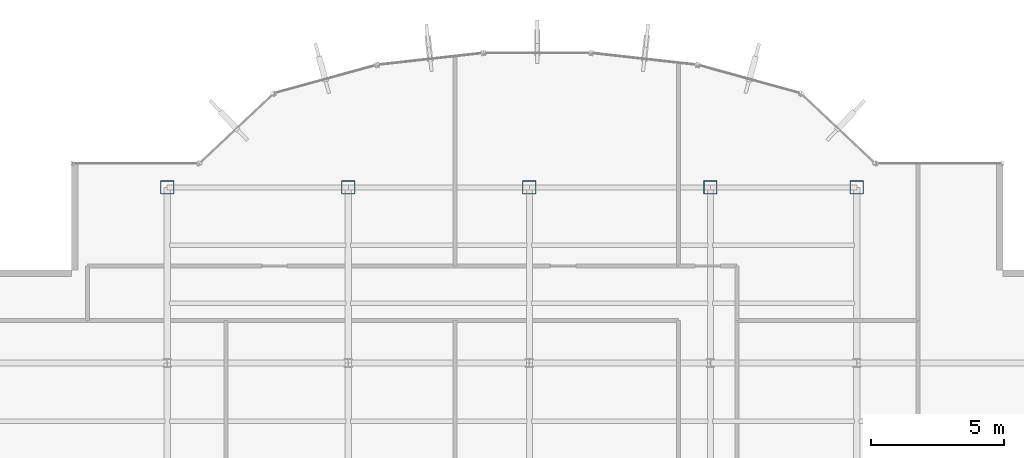
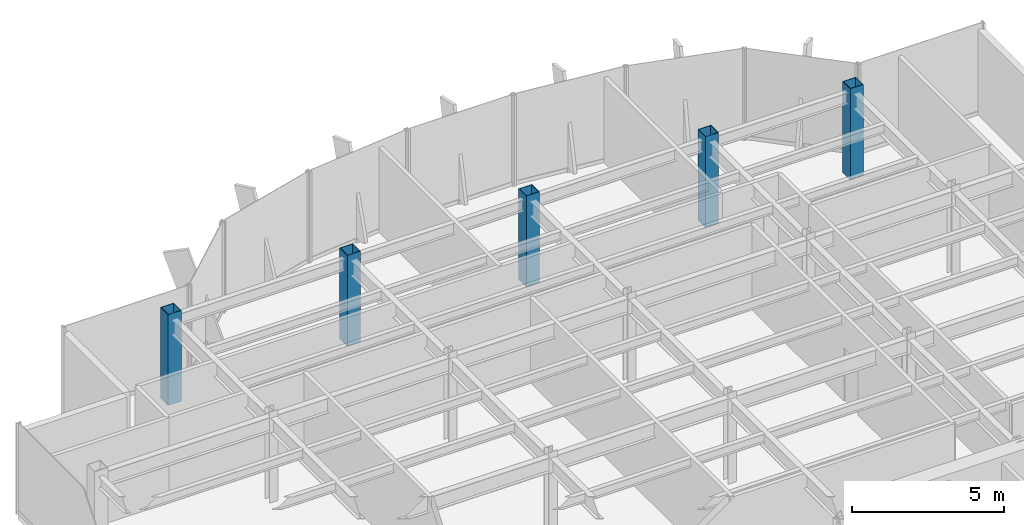
# One storey, part 2 of 22: 5 columns.
"""IFC4 building model written with IfcOpenShell, lengths in metres."""

from ifc_helpers import new_model, si_unit, derived_unit, direction, frame, origin, origin_2d, place, context, subcontext, project, spatial, hollow_rectangle, extrude, source, transform, mapped, material, material_profile, profile_set, type_object, element, save


model = new_model("IFC4")

# Units and contexts
model_context = context("Model", 3, precision=1e-05, world=origin(), true_north=direction((0.0, 1.0)))
body_context = subcontext(model_context, "Body", "Model", "MODEL_VIEW")
ifc_project = project(units=[si_unit("LENGTHUNIT", "METRE"), si_unit("AREAUNIT", "SQUARE_METRE"), si_unit("VOLUMEUNIT", "CUBIC_METRE"), si_unit("PLANEANGLEUNIT", "RADIAN"), si_unit("MASSUNIT", "GRAM", prefix="KILO"), derived_unit("THERMALTRANSMITTANCEUNIT", [(si_unit("POWERUNIT", "WATT"), 1), (si_unit("LENGTHUNIT", "METRE"), -2), (si_unit("THERMODYNAMICTEMPERATUREUNIT", "KELVIN"), -1)])], contexts=[model_context])

# Site, building, storey
site_placement = place(None, origin())
site = spatial("IfcSite", under=ifc_project, at=site_placement, CompositionType="ELEMENT")
building_placement = place(site_placement, origin())
building = spatial("IfcBuilding", under=site, at=building_placement, Name="Skarnbrae Concourse Arena and Tower", CompositionType="ELEMENT")
storey_placement = place(building_placement, frame((0.0, 0.0, 225.10009765625)))
storey = spatial("IfcBuildingStorey", under=building, at=storey_placement, Name="L58", CompositionType="ELEMENT", Elevation=225.10009765625)

# Columns
ifc_material = material(Name="Steel CSA G40.21 350W", Category="steel")
ifc_material_profile = material_profile(ifc_material, hollow_rectangle(XDim=0.5, YDim=0.5, WallThickness=0.02197265625, at=origin_2d()), Name="HSS500X500X22.0")
ifc_profile_set = profile_set([ifc_material_profile], Name="Steel CSA G40.21 350W")
column_type = type_object("IfcColumnType", Name="COL-TUBE-HSS500", PredefinedType="COLUMN", material=ifc_profile_set)
shared_shape = source(origin(), body_context, "Body", "SweptSolid", [
    extrude(hollow_rectangle(XDim=0.5, YDim=0.5, WallThickness=0.02197265625, at=origin_2d()), origin(), (0.0, 0.0, 1.0), 3.64990234375),
])
for number, where, z_axis, x_axis, name in (
    (1, (7.60009765625, 34.39990234375, 0.0), (0.0, 0.0, 1.0), (1.0, 0.0, 0.0), "L58 Tower column PC_02_05"),
    (2, (14.39990234375, 34.39990234375, 0.0), (0.0, 0.0, 1.0), (1.0, 0.0, 0.0), "L58 Tower column PC_03_05"),
    (3, (21.199951171875, 34.39990234375, 0.0), (0.0, 0.0, 1.0), (1.0, 0.0, 0.0), "L58 Tower column PC_04_05"),
    (4, (28.0, 34.39990234375, 0.0), (0.0, 0.0, 1.0), (1.0, 0.0, 0.0), "L58 Tower column PC_05_05"),
    (5, (33.5, 34.39990234375, 0.0), (0.0, 0.0, 1.0), (1.0, 0.0, 0.0), "L58 Tower column PC_06_05"),
):
    element("IfcColumn", number, at=place(storey_placement, frame(where, z_axis=z_axis, x_axis=x_axis)), inside=storey, type_object=column_type, Name=name, PredefinedType="COLUMN", context=body_context, shape_type="MappedRepresentation", body=[
        mapped(shared_shape, transform((0.0, 0.0, 0.0))),
    ])

save(model, "model.ifc")
